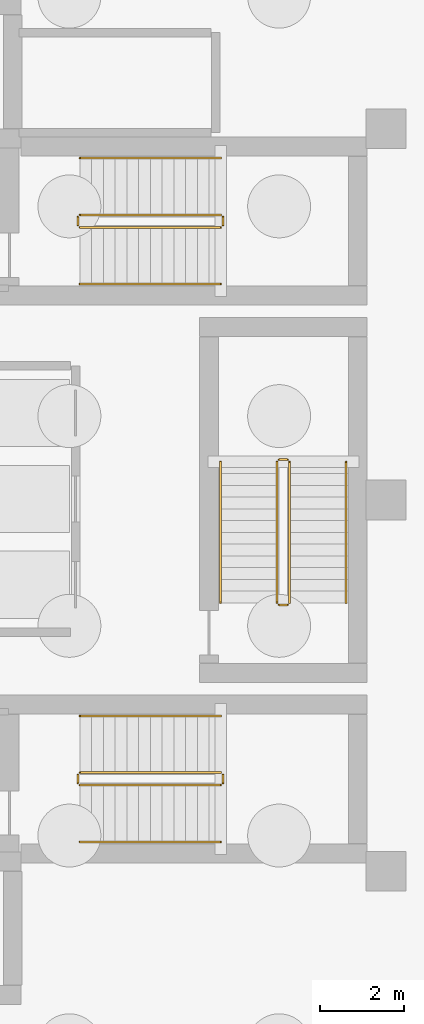
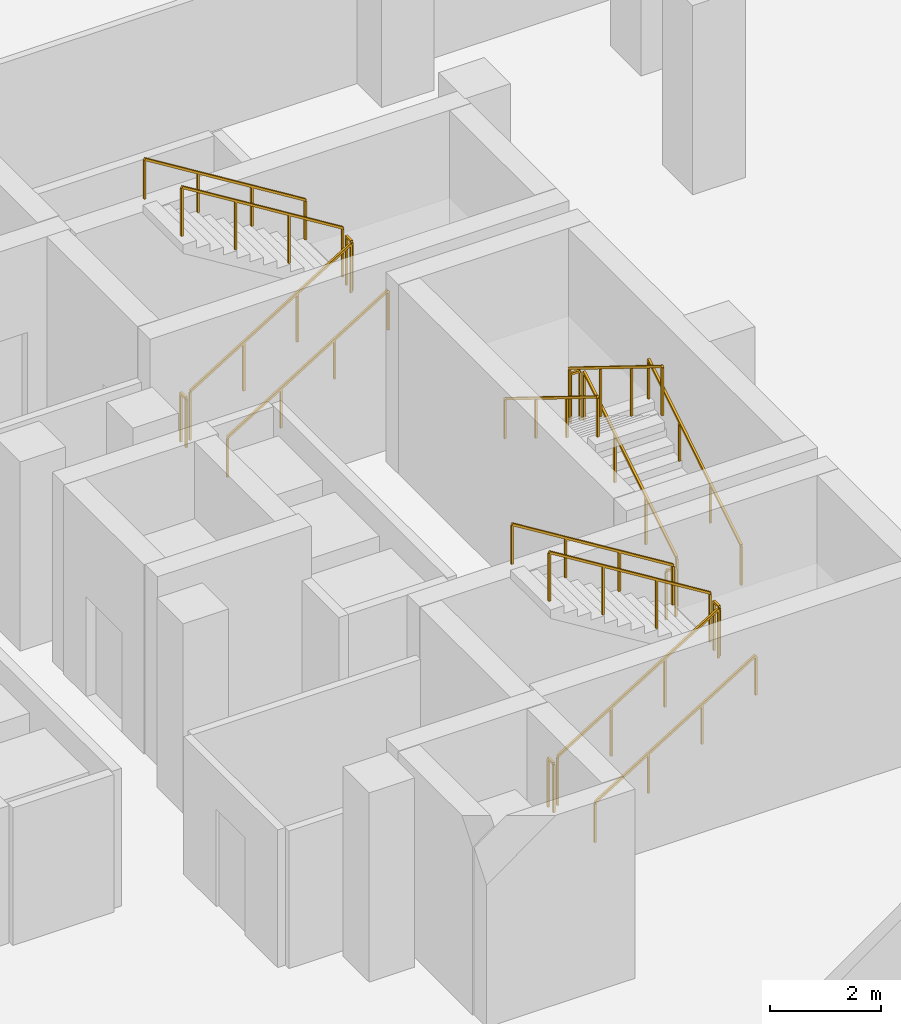
# One storey, part 12 of 15: 18 railings.
"""IFC4 building model written with IfcOpenShell, lengths in metres."""

from ifc_helpers import new_model, si_unit, direction, frame, origin, origin_2d, place, context, subcontext, project, spatial, rectangle, extrude, material, type_object, element, save


model = new_model("IFC4")

# Units and contexts
model_context = context("Model", 3, precision=1e-05, world=origin(), true_north=direction((0.0, 1.0)))
body_context = subcontext(model_context, "Body", "Model", "MODEL_VIEW")
ifc_project = project(units=[si_unit("LENGTHUNIT", "METRE"), si_unit("AREAUNIT", "SQUARE_METRE"), si_unit("VOLUMEUNIT", "CUBIC_METRE"), si_unit("PLANEANGLEUNIT", "RADIAN"), si_unit("MASSUNIT", "GRAM", prefix="KILO")], contexts=[model_context])

# Site, building, storey
site_placement = place(None, origin())
site = spatial("IfcSite", under=ifc_project, at=site_placement, CompositionType="ELEMENT")
building_placement = place(site_placement, origin())
building = spatial("IfcBuilding", under=site, at=building_placement, Name="Korentha Bioscience Tower", CompositionType="ELEMENT")
storey_placement = place(building_placement, frame((0.0, 0.0, -9.0)))
storey = spatial("IfcBuildingStorey", under=building, at=storey_placement, Name="B2", CompositionType="ELEMENT", Elevation=-9.0)

# Railings
ifc_material_1 = material(Name="Stainless Steel 304", Category="steel")
railing_type_1 = type_object("IfcRailingType", Name="Brushed Stainless Stair Handrail 900", PredefinedType="HANDRAIL", material=ifc_material_1)
railing_1_placement = place(storey_placement, frame((30.25, 32.14990234375, 0.173095703125)))
element("IfcRailing", 1, at=railing_1_placement, inside=storey, type_object=railing_type_1, Name="B2 ST-1 stair handrail 1", PredefinedType="HANDRAIL", context=body_context, shape_type="SweptSolid", body=[
    extrude(rectangle(XDim=0.048095703125, YDim=0.048095703125, at=origin_2d()), frame((0.0, 0.0, 0.8759765625), z_axis=(0.850623216509, 0.0, 0.525775754039), x_axis=(0.0, 1.0, 0.0)), (0.0, 0.0, 1.0), 3.9501953125),
    extrude(rectangle(XDim=0.0419921875, YDim=0.0419921875, at=origin_2d()), origin(), (0.0, 0.0, 1.0), 0.851806640625),
    extrude(rectangle(XDim=0.0419921875, YDim=0.0419921875, at=origin_2d()), frame((1.1201171875, 0.0, 0.6923828125)), (0.0, 0.0, 1.0), 0.851806640625),
    extrude(rectangle(XDim=0.0419921875, YDim=0.0419921875, at=origin_2d()), frame((2.239990234375, 0.0, 1.384521484375)), (0.0, 0.0, 1.0), 0.851806640625),
    extrude(rectangle(XDim=0.0419921875, YDim=0.0419921875, at=origin_2d()), frame((3.360107421875, 0.0, 2.076904296875)), (0.0, 0.0, 1.0), 0.851806640625),
])
railing_2_placement = place(storey_placement, frame((33.610107421875, 35.14990234375, 2.423095703125)))
element("IfcRailing", 2, at=railing_2_placement, inside=storey, type_object=railing_type_1, Name="B2 ST-1 stair handrail 2", PredefinedType="HANDRAIL", context=body_context, shape_type="SweptSolid", body=[
    extrude(rectangle(XDim=0.048095703125, YDim=0.048095703125, at=origin_2d()), frame((0.0, 0.0, 0.8759765625), z_axis=(-0.850623216509, 0.0, 0.525775754039), x_axis=(0.0, -1.0, 0.0)), (0.0, 0.0, 1.0), 3.9501953125),
    extrude(rectangle(XDim=0.0419921875, YDim=0.0419921875, at=origin_2d()), origin(), (0.0, 0.0, 1.0), 0.851806640625),
    extrude(rectangle(XDim=0.0419921875, YDim=0.0419921875, at=origin_2d()), frame((-1.1201171875, 0.0, 0.6923828125)), (0.0, 0.0, 1.0), 0.851806640625),
    extrude(rectangle(XDim=0.0419921875, YDim=0.0419921875, at=origin_2d()), frame((-2.239990234375, 0.0, 1.384521484375)), (0.0, 0.0, 1.0), 0.851806640625),
    extrude(rectangle(XDim=0.0419921875, YDim=0.0419921875, at=origin_2d()), frame((-3.360107421875, 0.0, 2.076904296875)), (0.0, 0.0, 1.0), 0.851806640625),
])
railing_3_placement = place(storey_placement, frame((30.25, 18.85009765625, 0.173095703125)))
element("IfcRailing", 3, at=railing_3_placement, inside=storey, type_object=railing_type_1, Name="B2 ST-2 stair handrail 1", PredefinedType="HANDRAIL", context=body_context, shape_type="SweptSolid", body=[
    extrude(rectangle(XDim=0.048095703125, YDim=0.048095703125, at=origin_2d()), frame((0.0, 0.0, 0.8759765625), z_axis=(0.850623216509, 0.0, 0.525775754039), x_axis=(0.0, 1.0, 0.0)), (0.0, 0.0, 1.0), 3.9501953125),
    extrude(rectangle(XDim=0.0419921875, YDim=0.0419921875, at=origin_2d()), origin(), (0.0, 0.0, 1.0), 0.851806640625),
    extrude(rectangle(XDim=0.0419921875, YDim=0.0419921875, at=origin_2d()), frame((1.1201171875, 0.0, 0.6923828125)), (0.0, 0.0, 1.0), 0.851806640625),
    extrude(rectangle(XDim=0.0419921875, YDim=0.0419921875, at=origin_2d()), frame((2.239990234375, 0.0, 1.384521484375)), (0.0, 0.0, 1.0), 0.851806640625),
    extrude(rectangle(XDim=0.0419921875, YDim=0.0419921875, at=origin_2d()), frame((3.360107421875, 0.0, 2.076904296875)), (0.0, 0.0, 1.0), 0.851806640625),
])
railing_4_placement = place(storey_placement, frame((33.610107421875, 21.85009765625, 2.423095703125)))
element("IfcRailing", 4, at=railing_4_placement, inside=storey, type_object=railing_type_1, Name="B2 ST-2 stair handrail 2", PredefinedType="HANDRAIL", context=body_context, shape_type="SweptSolid", body=[
    extrude(rectangle(XDim=0.048095703125, YDim=0.048095703125, at=origin_2d()), frame((0.0, 0.0, 0.8759765625), z_axis=(-0.850623216509, 0.0, 0.525775754039), x_axis=(0.0, -1.0, 0.0)), (0.0, 0.0, 1.0), 3.9501953125),
    extrude(rectangle(XDim=0.0419921875, YDim=0.0419921875, at=origin_2d()), origin(), (0.0, 0.0, 1.0), 0.851806640625),
    extrude(rectangle(XDim=0.0419921875, YDim=0.0419921875, at=origin_2d()), frame((-1.1201171875, 0.0, 0.6923828125)), (0.0, 0.0, 1.0), 0.851806640625),
    extrude(rectangle(XDim=0.0419921875, YDim=0.0419921875, at=origin_2d()), frame((-2.239990234375, 0.0, 1.384521484375)), (0.0, 0.0, 1.0), 0.851806640625),
    extrude(rectangle(XDim=0.0419921875, YDim=0.0419921875, at=origin_2d()), frame((-3.360107421875, 0.0, 2.076904296875)), (0.0, 0.0, 1.0), 0.851806640625),
])
railing_5_placement = place(storey_placement, frame((36.60009765625, 24.550048828125, 0.173095703125)))
element("IfcRailing", 5, at=railing_5_placement, inside=storey, type_object=railing_type_1, Name="B2 ST-3 stair handrail 1", PredefinedType="HANDRAIL", context=body_context, shape_type="SweptSolid", body=[
    extrude(rectangle(XDim=0.048095703125, YDim=0.048095703125, at=origin_2d()), frame((0.0, 0.0, 0.8759765625), z_axis=(0.0, 0.850606129759, 0.525803396734), x_axis=(-1.0, 0.0, 0.0)), (0.0, 0.0, 1.0), 3.949951171875),
    extrude(rectangle(XDim=0.0419921875, YDim=0.0419921875, at=origin_2d()), origin(), (0.0, 0.0, 1.0), 0.851806640625),
    extrude(rectangle(XDim=0.0419921875, YDim=0.0419921875, at=origin_2d()), frame((0.0, 1.119873046875, 0.6923828125)), (0.0, 0.0, 1.0), 0.851806640625),
    extrude(rectangle(XDim=0.0419921875, YDim=0.0419921875, at=origin_2d()), frame((0.0, 2.239990234375, 1.384521484375)), (0.0, 0.0, 1.0), 0.851806640625),
    extrude(rectangle(XDim=0.0419921875, YDim=0.0419921875, at=origin_2d()), frame((0.0, 3.35986328125, 2.076904296875)), (0.0, 0.0, 1.0), 0.851806640625),
])
railing_6_placement = place(storey_placement, frame((33.60009765625, 27.909912109375, 2.423095703125)))
element("IfcRailing", 6, at=railing_6_placement, inside=storey, type_object=railing_type_1, Name="B2 ST-3 stair handrail 2", PredefinedType="HANDRAIL", context=body_context, shape_type="SweptSolid", body=[
    extrude(rectangle(XDim=0.048095703125, YDim=0.048095703125, at=origin_2d()), frame((0.0, 0.0, 0.8759765625), z_axis=(0.0, -0.850606129759, 0.525803396734), x_axis=(1.0, 0.0, 0.0)), (0.0, 0.0, 1.0), 3.949951171875),
    extrude(rectangle(XDim=0.0419921875, YDim=0.0419921875, at=origin_2d()), origin(), (0.0, 0.0, 1.0), 0.851806640625),
    extrude(rectangle(XDim=0.0419921875, YDim=0.0419921875, at=origin_2d()), frame((0.0, -1.119873046875, 0.6923828125)), (0.0, 0.0, 1.0), 0.851806640625),
    extrude(rectangle(XDim=0.0419921875, YDim=0.0419921875, at=origin_2d()), frame((0.0, -2.239990234375, 1.384521484375)), (0.0, 0.0, 1.0), 0.851806640625),
    extrude(rectangle(XDim=0.0419921875, YDim=0.0419921875, at=origin_2d()), frame((0.0, -3.35986328125, 2.076904296875)), (0.0, 0.0, 1.0), 0.851806640625),
])
ifc_material_2 = material(Name="Painted Steel S275", Category="steel")
railing_type_2 = type_object("IfcRailingType", Name="Painted Steel Stair Well Guardrail 1100", PredefinedType="GUARDRAIL", material=ifc_material_2)
railing_7_placement = place(storey_placement, frame((30.25, 33.5, 0.173095703125)))
element("IfcRailing", 7, at=railing_7_placement, inside=storey, type_object=railing_type_2, Name="B2 ST-1 stair guard 1", PredefinedType="GUARDRAIL", context=body_context, shape_type="SweptSolid", body=[
    extrude(rectangle(XDim=0.048095703125, YDim=0.048095703125, at=origin_2d()), frame((0.0, 0.0, 1.076171875), z_axis=(0.850623216509, 0.0, 0.525775754039), x_axis=(0.0, 1.0, 0.0)), (0.0, 0.0, 1.0), 3.9501953125),
    extrude(rectangle(XDim=0.0419921875, YDim=0.0419921875, at=origin_2d()), origin(), (0.0, 0.0, 1.0), 1.052001953125),
    extrude(rectangle(XDim=0.0419921875, YDim=0.0419921875, at=origin_2d()), frame((1.1201171875, 0.0, 0.6923828125)), (0.0, 0.0, 1.0), 1.052001953125),
    extrude(rectangle(XDim=0.0419921875, YDim=0.0419921875, at=origin_2d()), frame((2.239990234375, 0.0, 1.384521484375)), (0.0, 0.0, 1.0), 1.052001953125),
    extrude(rectangle(XDim=0.0419921875, YDim=0.0419921875, at=origin_2d()), frame((3.360107421875, 0.0, 2.076904296875)), (0.0, 0.0, 1.0), 1.052001953125),
])
railing_8_placement = place(storey_placement, frame((33.659912109375, 33.550048828125, 2.25)))
element("IfcRailing", 8, at=railing_8_placement, inside=storey, type_object=railing_type_2, Name="B2 ST-1 stair guard 2", PredefinedType="GUARDRAIL", context=body_context, shape_type="SweptSolid", body=[
    extrude(rectangle(XDim=0.048095703125, YDim=0.048095703125, at=origin_2d()), frame((0.0, 0.0, 1.076171875), z_axis=(0.0, 1.0, 0.0), x_axis=(-1.0, 0.0, 0.0)), (0.0, 0.0, 1.0), 0.199951171875),
    extrude(rectangle(XDim=0.0419921875, YDim=0.0419921875, at=origin_2d()), origin(), (0.0, 0.0, 1.0), 1.052001953125),
    extrude(rectangle(XDim=0.0419921875, YDim=0.0419921875, at=origin_2d()), frame((0.0, 0.199951171875, 0.0)), (0.0, 0.0, 1.0), 1.052001953125),
])
railing_9_placement = place(storey_placement, frame((33.610107421875, 33.800048828125, 2.423095703125)))
element("IfcRailing", 9, at=railing_9_placement, inside=storey, type_object=railing_type_2, Name="B2 ST-1 stair guard 3", PredefinedType="GUARDRAIL", context=body_context, shape_type="SweptSolid", body=[
    extrude(rectangle(XDim=0.048095703125, YDim=0.048095703125, at=origin_2d()), frame((0.0, 0.0, 1.076171875), z_axis=(-0.850623216509, 0.0, 0.525775754039), x_axis=(0.0, -1.0, 0.0)), (0.0, 0.0, 1.0), 3.9501953125),
    extrude(rectangle(XDim=0.0419921875, YDim=0.0419921875, at=origin_2d()), origin(), (0.0, 0.0, 1.0), 1.052001953125),
    extrude(rectangle(XDim=0.0419921875, YDim=0.0419921875, at=origin_2d()), frame((-1.1201171875, 0.0, 0.6923828125)), (0.0, 0.0, 1.0), 1.052001953125),
    extrude(rectangle(XDim=0.0419921875, YDim=0.0419921875, at=origin_2d()), frame((-2.239990234375, 0.0, 1.384521484375)), (0.0, 0.0, 1.0), 1.052001953125),
    extrude(rectangle(XDim=0.0419921875, YDim=0.0419921875, at=origin_2d()), frame((-3.360107421875, 0.0, 2.076904296875)), (0.0, 0.0, 1.0), 1.052001953125),
])
railing_10_placement = place(storey_placement, frame((30.199951171875, 33.550048828125, 0.0)))
element("IfcRailing", 10, at=railing_10_placement, inside=storey, type_object=railing_type_2, Name="B2 ST-1 stair guard 4", PredefinedType="GUARDRAIL", context=body_context, shape_type="SweptSolid", body=[
    extrude(rectangle(XDim=0.048095703125, YDim=0.048095703125, at=origin_2d()), frame((0.0, 0.0, 1.076171875), z_axis=(0.0, 1.0, 0.0), x_axis=(-1.0, 0.0, 0.0)), (0.0, 0.0, 1.0), 0.199951171875),
    extrude(rectangle(XDim=0.0419921875, YDim=0.0419921875, at=origin_2d()), origin(), (0.0, 0.0, 1.0), 1.052001953125),
    extrude(rectangle(XDim=0.0419921875, YDim=0.0419921875, at=origin_2d()), frame((0.0, 0.199951171875, 0.0)), (0.0, 0.0, 1.0), 1.052001953125),
])
railing_11_placement = place(storey_placement, frame((30.25, 20.199951171875, 0.173095703125)))
element("IfcRailing", 11, at=railing_11_placement, inside=storey, type_object=railing_type_2, Name="B2 ST-2 stair guard 1", PredefinedType="GUARDRAIL", context=body_context, shape_type="SweptSolid", body=[
    extrude(rectangle(XDim=0.048095703125, YDim=0.048095703125, at=origin_2d()), frame((0.0, 0.0, 1.076171875), z_axis=(0.850623216509, 0.0, 0.525775754039), x_axis=(0.0, 1.0, 0.0)), (0.0, 0.0, 1.0), 3.9501953125),
    extrude(rectangle(XDim=0.0419921875, YDim=0.0419921875, at=origin_2d()), origin(), (0.0, 0.0, 1.0), 1.052001953125),
    extrude(rectangle(XDim=0.0419921875, YDim=0.0419921875, at=origin_2d()), frame((1.1201171875, 0.0, 0.6923828125)), (0.0, 0.0, 1.0), 1.052001953125),
    extrude(rectangle(XDim=0.0419921875, YDim=0.0419921875, at=origin_2d()), frame((2.239990234375, 0.0, 1.384521484375)), (0.0, 0.0, 1.0), 1.052001953125),
    extrude(rectangle(XDim=0.0419921875, YDim=0.0419921875, at=origin_2d()), frame((3.360107421875, 0.0, 2.076904296875)), (0.0, 0.0, 1.0), 1.052001953125),
])
railing_12_placement = place(storey_placement, frame((33.659912109375, 20.25, 2.25)))
element("IfcRailing", 12, at=railing_12_placement, inside=storey, type_object=railing_type_2, Name="B2 ST-2 stair guard 2", PredefinedType="GUARDRAIL", context=body_context, shape_type="SweptSolid", body=[
    extrude(rectangle(XDim=0.048095703125, YDim=0.048095703125, at=origin_2d()), frame((0.0, 0.0, 1.076171875), z_axis=(0.0, 1.0, 0.0), x_axis=(-1.0, 0.0, 0.0)), (0.0, 0.0, 1.0), 0.199951171875),
    extrude(rectangle(XDim=0.0419921875, YDim=0.0419921875, at=origin_2d()), origin(), (0.0, 0.0, 1.0), 1.052001953125),
    extrude(rectangle(XDim=0.0419921875, YDim=0.0419921875, at=origin_2d()), frame((0.0, 0.199951171875, 0.0)), (0.0, 0.0, 1.0), 1.052001953125),
])
railing_13_placement = place(storey_placement, frame((33.610107421875, 20.5, 2.423095703125)))
element("IfcRailing", 13, at=railing_13_placement, inside=storey, type_object=railing_type_2, Name="B2 ST-2 stair guard 3", PredefinedType="GUARDRAIL", context=body_context, shape_type="SweptSolid", body=[
    extrude(rectangle(XDim=0.048095703125, YDim=0.048095703125, at=origin_2d()), frame((0.0, 0.0, 1.076171875), z_axis=(-0.850623216509, 0.0, 0.525775754039), x_axis=(0.0, -1.0, 0.0)), (0.0, 0.0, 1.0), 3.9501953125),
    extrude(rectangle(XDim=0.0419921875, YDim=0.0419921875, at=origin_2d()), origin(), (0.0, 0.0, 1.0), 1.052001953125),
    extrude(rectangle(XDim=0.0419921875, YDim=0.0419921875, at=origin_2d()), frame((-1.1201171875, 0.0, 0.6923828125)), (0.0, 0.0, 1.0), 1.052001953125),
    extrude(rectangle(XDim=0.0419921875, YDim=0.0419921875, at=origin_2d()), frame((-2.239990234375, 0.0, 1.384521484375)), (0.0, 0.0, 1.0), 1.052001953125),
    extrude(rectangle(XDim=0.0419921875, YDim=0.0419921875, at=origin_2d()), frame((-3.360107421875, 0.0, 2.076904296875)), (0.0, 0.0, 1.0), 1.052001953125),
])
railing_14_placement = place(storey_placement, frame((30.199951171875, 20.25, 0.0)))
element("IfcRailing", 14, at=railing_14_placement, inside=storey, type_object=railing_type_2, Name="B2 ST-2 stair guard 4", PredefinedType="GUARDRAIL", context=body_context, shape_type="SweptSolid", body=[
    extrude(rectangle(XDim=0.048095703125, YDim=0.048095703125, at=origin_2d()), frame((0.0, 0.0, 1.076171875), z_axis=(0.0, 1.0, 0.0), x_axis=(-1.0, 0.0, 0.0)), (0.0, 0.0, 1.0), 0.199951171875),
    extrude(rectangle(XDim=0.0419921875, YDim=0.0419921875, at=origin_2d()), origin(), (0.0, 0.0, 1.0), 1.052001953125),
    extrude(rectangle(XDim=0.0419921875, YDim=0.0419921875, at=origin_2d()), frame((0.0, 0.199951171875, 0.0)), (0.0, 0.0, 1.0), 1.052001953125),
])
railing_15_placement = place(storey_placement, frame((35.25, 24.550048828125, 0.173095703125)))
element("IfcRailing", 15, at=railing_15_placement, inside=storey, type_object=railing_type_2, Name="B2 ST-3 stair guard 1", PredefinedType="GUARDRAIL", context=body_context, shape_type="SweptSolid", body=[
    extrude(rectangle(XDim=0.048095703125, YDim=0.048095703125, at=origin_2d()), frame((0.0, 0.0, 1.076171875), z_axis=(0.0, 0.850606129759, 0.525803396734), x_axis=(-1.0, 0.0, 0.0)), (0.0, 0.0, 1.0), 3.949951171875),
    extrude(rectangle(XDim=0.0419921875, YDim=0.0419921875, at=origin_2d()), origin(), (0.0, 0.0, 1.0), 1.052001953125),
    extrude(rectangle(XDim=0.0419921875, YDim=0.0419921875, at=origin_2d()), frame((0.0, 1.119873046875, 0.6923828125)), (0.0, 0.0, 1.0), 1.052001953125),
    extrude(rectangle(XDim=0.0419921875, YDim=0.0419921875, at=origin_2d()), frame((0.0, 2.239990234375, 1.384521484375)), (0.0, 0.0, 1.0), 1.052001953125),
    extrude(rectangle(XDim=0.0419921875, YDim=0.0419921875, at=origin_2d()), frame((0.0, 3.35986328125, 2.076904296875)), (0.0, 0.0, 1.0), 1.052001953125),
])
railing_16_placement = place(storey_placement, frame((35.199951171875, 27.9599609375, 2.25)))
element("IfcRailing", 16, at=railing_16_placement, inside=storey, type_object=railing_type_2, Name="B2 ST-3 stair guard 2", PredefinedType="GUARDRAIL", context=body_context, shape_type="SweptSolid", body=[
    extrude(rectangle(XDim=0.048095703125, YDim=0.048095703125, at=origin_2d()), frame((0.0, 0.0, 1.076171875), z_axis=(-1.0, 0.0, 0.0), x_axis=(0.0, -1.0, 0.0)), (0.0, 0.0, 1.0), 0.199951171875),
    extrude(rectangle(XDim=0.0419921875, YDim=0.0419921875, at=origin_2d()), origin(), (0.0, 0.0, 1.0), 1.052001953125),
    extrude(rectangle(XDim=0.0419921875, YDim=0.0419921875, at=origin_2d()), frame((-0.199951171875, 0.0, 0.0)), (0.0, 0.0, 1.0), 1.052001953125),
])
railing_17_placement = place(storey_placement, frame((34.949951171875, 27.909912109375, 2.423095703125)))
element("IfcRailing", 17, at=railing_17_placement, inside=storey, type_object=railing_type_2, Name="B2 ST-3 stair guard 3", PredefinedType="GUARDRAIL", context=body_context, shape_type="SweptSolid", body=[
    extrude(rectangle(XDim=0.048095703125, YDim=0.048095703125, at=origin_2d()), frame((0.0, 0.0, 1.076171875), z_axis=(0.0, -0.850606129759, 0.525803396734), x_axis=(1.0, 0.0, 0.0)), (0.0, 0.0, 1.0), 3.949951171875),
    extrude(rectangle(XDim=0.0419921875, YDim=0.0419921875, at=origin_2d()), origin(), (0.0, 0.0, 1.0), 1.052001953125),
    extrude(rectangle(XDim=0.0419921875, YDim=0.0419921875, at=origin_2d()), frame((0.0, -1.119873046875, 0.6923828125)), (0.0, 0.0, 1.0), 1.052001953125),
    extrude(rectangle(XDim=0.0419921875, YDim=0.0419921875, at=origin_2d()), frame((0.0, -2.239990234375, 1.384521484375)), (0.0, 0.0, 1.0), 1.052001953125),
    extrude(rectangle(XDim=0.0419921875, YDim=0.0419921875, at=origin_2d()), frame((0.0, -3.35986328125, 2.076904296875)), (0.0, 0.0, 1.0), 1.052001953125),
])
railing_18_placement = place(storey_placement, frame((35.199951171875, 24.5, 0.0)))
element("IfcRailing", 18, at=railing_18_placement, inside=storey, type_object=railing_type_2, Name="B2 ST-3 stair guard 4", PredefinedType="GUARDRAIL", context=body_context, shape_type="SweptSolid", body=[
    extrude(rectangle(XDim=0.048095703125, YDim=0.048095703125, at=origin_2d()), frame((0.0, 0.0, 1.076171875), z_axis=(-1.0, 0.0, 0.0), x_axis=(0.0, -1.0, 0.0)), (0.0, 0.0, 1.0), 0.199951171875),
    extrude(rectangle(XDim=0.0419921875, YDim=0.0419921875, at=origin_2d()), origin(), (0.0, 0.0, 1.0), 1.052001953125),
    extrude(rectangle(XDim=0.0419921875, YDim=0.0419921875, at=origin_2d()), frame((-0.199951171875, 0.0, 0.0)), (0.0, 0.0, 1.0), 1.052001953125),
])

save(model, "model.ifc")
